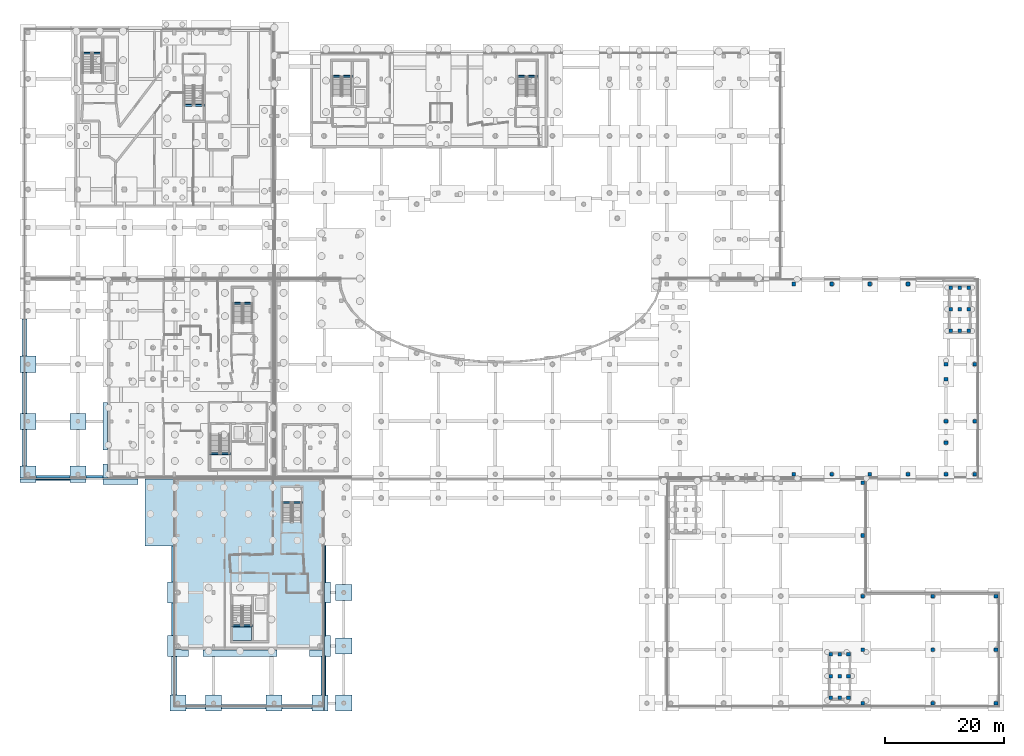
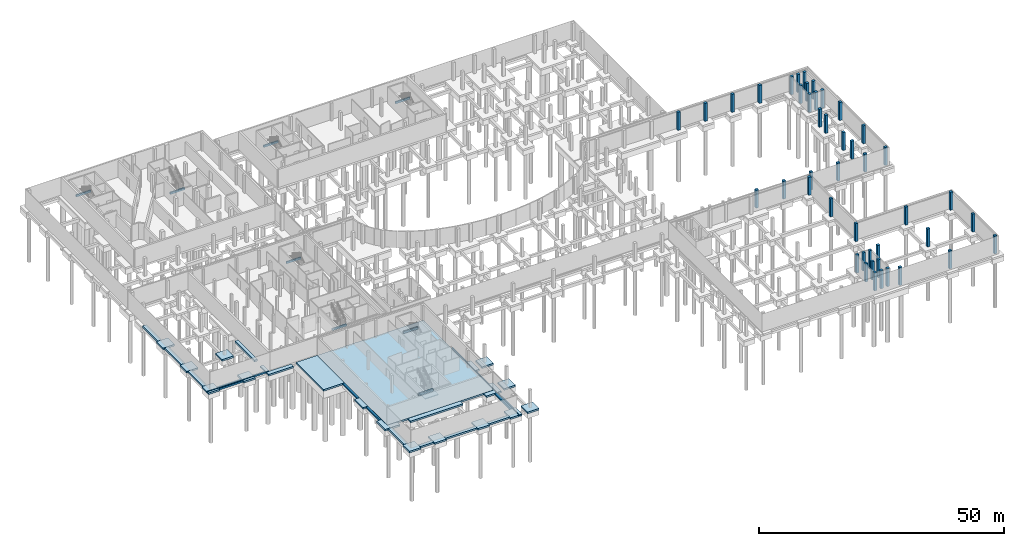
# One storey, part 15 of 40: 45 columns, 43 slabs, 8 beams, 1 element without a shape of its own.
"""IFC4 building model written with IfcOpenShell, lengths in metres."""

from ifc_helpers import new_model, si_unit, direction, frame, origin, origin_2d, place, context, subcontext, project, spatial, polyline, rectangle, outline, extrude, material, layer, layer_set, material_profile, profile_set, type_object, element, aggregate, save


model = new_model("IFC4")

# Units and contexts
model_context = context("Model", 3, precision=1e-05, world=origin(), true_north=direction((0.0, 1.0)))
body_context = subcontext(model_context, "Body", "Model", "MODEL_VIEW")
ifc_project = project(units=[si_unit("LENGTHUNIT", "METRE"), si_unit("AREAUNIT", "SQUARE_METRE"), si_unit("VOLUMEUNIT", "CUBIC_METRE"), si_unit("PLANEANGLEUNIT", "RADIAN"), si_unit("MASSUNIT", "GRAM", prefix="KILO")], contexts=[model_context])

# Site, building, storey
site_placement = place(None, origin())
site = spatial("IfcSite", under=ifc_project, at=site_placement, CompositionType="ELEMENT")
building_placement = place(site_placement, origin())
building = spatial("IfcBuilding", under=site, at=building_placement, Name="Mzevani Central Library", CompositionType="ELEMENT")
storey_placement = place(building_placement, frame((0.0, 0.0, -4.5)))
storey = spatial("IfcBuildingStorey", under=building, at=storey_placement, Name="B1", CompositionType="ELEMENT", Elevation=-4.5)

# Columns
ifc_material_1 = material(Name="Concrete C40/50", Category="concrete")
ifc_material_profile_1 = material_profile(ifc_material_1, rectangle(XDim=0.60009765625, YDim=0.60009765625, at=origin_2d()), Name="RC 600x600")
ifc_profile_set_1 = profile_set([ifc_material_profile_1], Name="Concrete C40/50")
column_type = type_object("IfcColumnType", Name="Column RC 600x600", PredefinedType="COLUMN", material=ifc_profile_set_1)
for number, where, z_axis, x_axis, name in (
    (1, (159.0, 43.10009765625, 0.0), (0.0, 0.0, 1.0), (1.0, 0.0, 0.0), "B1 V1 Foundation Pedestal (32)"),
    (2, (159.0, 52.0, 0.0), (0.0, 0.0, 1.0), (1.0, 0.0, 0.0), "B1 V1 Foundation Pedestal (33)"),
    (3, (159.0, 61.60009765625, 0.0), (0.0, 0.0, 1.0), (1.0, 0.0, 0.0), "B1 V1 Foundation Pedestal (34)"),
    (4, (163.800048828125, 43.10009765625, 0.0), (0.0, 0.0, 1.0), (1.0, 0.0, 0.0), "B1 V1 Foundation Pedestal (35)"),
    (5, (163.800048828125, 52.0, 0.0), (0.0, 0.0, 1.0), (1.0, 0.0, 0.0), "B1 V1 Foundation Pedestal (36)"),
    (6, (163.800048828125, 61.60009765625, 0.0), (0.0, 0.0, 1.0), (1.0, 0.0, 0.0), "B1 V1 Foundation Pedestal (37)"),
    (7, (133.39990234375, 43.10009765625, 0.0), (0.0, 0.0, 1.0), (1.0, 0.0, 0.0), "B1 V1 Foundation Pedestal (42)"),
    (8, (133.39990234375, 75.10009765625, 0.0), (0.0, 0.0, 1.0), (1.0, 0.0, 0.0), "B1 V1 Foundation Pedestal (43)"),
    (9, (139.800048828125, 43.10009765625, 0.0), (0.0, 0.0, 1.0), (1.0, 0.0, 0.0), "B1 V1 Foundation Pedestal (44)"),
    (10, (139.800048828125, 75.10009765625, 0.0), (0.0, 0.0, 1.0), (1.0, 0.0, 0.0), "B1 V1 Foundation Pedestal (45)"),
    (11, (146.199951171875, 43.10009765625, 0.0), (0.0, 0.0, 1.0), (1.0, 0.0, 0.0), "B1 V1 Foundation Pedestal (46)"),
    (12, (146.199951171875, 75.10009765625, 0.0), (0.0, 0.0, 1.0), (1.0, 0.0, 0.0), "B1 V1 Foundation Pedestal (47)"),
    (13, (152.60009765625, 43.10009765625, 0.0), (0.0, 0.0, 1.0), (1.0, 0.0, 0.0), "B1 V1 Foundation Pedestal (48)"),
    (14, (152.60009765625, 75.10009765625, 0.0), (0.0, 0.0, 1.0), (1.0, 0.0, 0.0), "B1 V1 Foundation Pedestal (49)"),
    (15, (159.0, 48.43310546875, 0.0), (0.0, 0.0, 1.0), (1.0, 0.0, 0.0), "B1 V1 Foundation Pedestal (51)"),
    (16, (159.0, 59.10009765625, 0.0), (0.0, 0.0, 1.0), (1.0, 0.0, 0.0), "B1 V1 Foundation Pedestal (53)"),
    (17, (145.0, 4.60009765625, 0.0), (0.0, 0.0, 1.0), (1.0, 0.0, 0.0), "B1 V6 Foundation Pedestal (164)"),
    (18, (145.0, 13.60009765625, 0.0), (0.0, 0.0, 1.0), (1.0, 0.0, 0.0), "B1 V6 Foundation Pedestal (165)"),
    (19, (145.0, 22.60009765625, 0.0), (0.0, 0.0, 1.0), (1.0, 0.0, 0.0), "B1 V6 Foundation Pedestal (166)"),
    (20, (145.0, 32.800048828125, 0.0), (0.0, 0.0, 1.0), (1.0, 0.0, 0.0), "B1 V6 Foundation Pedestal (167)"),
    (21, (145.0, 41.699951171875, 0.0), (0.0, 0.0, 1.0), (1.0, 0.0, 0.0), "B1 V6 Foundation Pedestal (168)"),
    (22, (156.800048828125, 4.60009765625, 0.0), (0.0, 0.0, 1.0), (1.0, 0.0, 0.0), "B1 V6 Foundation Pedestal (169)"),
    (23, (156.800048828125, 13.60009765625, 0.0), (0.0, 0.0, 1.0), (1.0, 0.0, 0.0), "B1 V6 Foundation Pedestal (170)"),
    (24, (156.800048828125, 22.60009765625, 0.0), (0.0, 0.0, 1.0), (1.0, 0.0, 0.0), "B1 V6 Foundation Pedestal (171)"),
    (25, (167.39990234375, 4.60009765625, 0.0), (0.0, 0.0, 1.0), (1.0, 0.0, 0.0), "B1 V6 Foundation Pedestal (172)"),
    (26, (167.39990234375, 13.60009765625, 0.0), (0.0, 0.0, 1.0), (1.0, 0.0, 0.0), "B1 V6 Foundation Pedestal (173)"),
    (27, (167.39990234375, 22.60009765625, 0.0), (0.0, 0.0, 1.0), (1.0, 0.0, 0.0), "B1 V6 Foundation Pedestal (174)"),
    (28, (159.800048828125, 67.199951171875, 0.0), (0.0, 0.0, 1.0), (1.0, 0.0, 0.0), "B1 V1 Foundation Pedestal (199)"),
    (29, (159.800048828125, 70.85009765625, 0.0), (0.0, 0.0, 1.0), (1.0, 0.0, 0.0), "B1 V1 Foundation Pedestal (200)"),
    (30, (159.800048828125, 74.5, 0.0), (0.0, 0.0, 1.0), (1.0, 0.0, 0.0), "B1 V1 Foundation Pedestal (201)"),
    (31, (161.300048828125, 67.199951171875, 0.0), (0.0, 0.0, 1.0), (1.0, 0.0, 0.0), "B1 V1 Foundation Pedestal (202)"),
    (32, (161.300048828125, 70.85009765625, 0.0), (0.0, 0.0, 1.0), (1.0, 0.0, 0.0), "B1 V1 Foundation Pedestal (203)"),
    (33, (161.300048828125, 74.5, 0.0), (0.0, 0.0, 1.0), (1.0, 0.0, 0.0), "B1 V1 Foundation Pedestal (204)"),
    (34, (162.800048828125, 67.199951171875, 0.0), (0.0, 0.0, 1.0), (1.0, 0.0, 0.0), "B1 V1 Foundation Pedestal (205)"),
    (35, (162.800048828125, 70.85009765625, 0.0), (0.0, 0.0, 1.0), (1.0, 0.0, 0.0), "B1 V1 Foundation Pedestal (206)"),
    (36, (162.800048828125, 74.5, 0.0), (0.0, 0.0, 1.0), (1.0, 0.0, 0.0), "B1 V1 Foundation Pedestal (207)"),
    (37, (139.60009765625, 5.5, 0.0), (0.0, 0.0, 1.0), (1.0, 0.0, 0.0), "B1 V6 Foundation Pedestal (217)"),
    (38, (139.60009765625, 9.14990234375, 0.0), (0.0, 0.0, 1.0), (1.0, 0.0, 0.0), "B1 V6 Foundation Pedestal (218)"),
    (39, (139.60009765625, 12.800048828125, 0.0), (0.0, 0.0, 1.0), (1.0, 0.0, 0.0), "B1 V6 Foundation Pedestal (219)"),
    (40, (141.10009765625, 5.5, 0.0), (0.0, 0.0, 1.0), (1.0, 0.0, 0.0), "B1 V6 Foundation Pedestal (220)"),
    (41, (141.10009765625, 9.14990234375, 0.0), (0.0, 0.0, 1.0), (1.0, 0.0, 0.0), "B1 V6 Foundation Pedestal (221)"),
    (42, (141.10009765625, 12.800048828125, 0.0), (0.0, 0.0, 1.0), (1.0, 0.0, 0.0), "B1 V6 Foundation Pedestal (222)"),
    (43, (142.60009765625, 5.5, 0.0), (0.0, 0.0, 1.0), (1.0, 0.0, 0.0), "B1 V6 Foundation Pedestal (223)"),
    (44, (142.60009765625, 9.14990234375, 0.0), (0.0, 0.0, 1.0), (1.0, 0.0, 0.0), "B1 V6 Foundation Pedestal (224)"),
    (45, (142.60009765625, 12.800048828125, 0.0), (0.0, 0.0, 1.0), (1.0, 0.0, 0.0), "B1 V6 Foundation Pedestal (225)"),
):
    element("IfcColumn", number, at=place(storey_placement, frame(where, z_axis=z_axis, x_axis=x_axis)), inside=storey, type_object=column_type, Name=name, PredefinedType="COLUMN", context=body_context, shape_type="SweptSolid", body=[
        extrude(rectangle(XDim=0.60009765625, YDim=0.60009765625, at=origin_2d()), origin(), (0.0, 0.0, 1.0), 4.5),
    ])

# Beams
ifc_material_2 = material(Name="Concrete C35/45", Category="concrete")
ifc_material_profile_2 = material_profile(ifc_material_2, rectangle(XDim=0.300048828125, YDim=0.5, at=origin_2d()), Name="RC B300x500")
ifc_profile_set_2 = profile_set([ifc_material_profile_2], Name="Concrete C35/45")
beam_type = type_object("IfcBeamType", Name="Beam RC 300x500", PredefinedType="BEAM", material=ifc_profile_set_2)
beam_1_placement = place(storey_placement, frame((13.679931640625, 113.9599609375, 1.800048828125), z_axis=(1.0, 0.0, 0.0), x_axis=(0.0, 1.0, 0.0)))
element("IfcBeam", 46, at=beam_1_placement, inside=storey, type_object=beam_type, Name="B1 Core C2A North-West Firefighting Core Stair Landing Beam 1", PredefinedType="BEAM", context=body_context, shape_type="SweptSolid", body=[
    extrude(rectangle(XDim=0.300048828125, YDim=0.5, at=origin_2d()), origin(), (0.0, 0.0, 1.0), 3.440185546875),
])
beam_2_placement = place(storey_placement, frame((30.780029296875, 105.139892578125, 1.800048828125), z_axis=(1.0, 0.0, 0.0), x_axis=(0.0, 1.0, 0.0)))
element("IfcBeam", 47, at=beam_2_placement, inside=storey, type_object=beam_type, Name="B1 Core C2B Stacks East Escape Stair Stair Landing Beam 1", PredefinedType="BEAM", context=body_context, shape_type="SweptSolid", body=[
    extrude(rectangle(XDim=0.300048828125, YDim=0.5, at=origin_2d()), origin(), (0.0, 0.0, 1.0), 3.43994140625),
])
beam_3_placement = place(storey_placement, frame((55.679931640625, 110.06005859375, 1.800048828125), z_axis=(1.0, 0.0, 0.0), x_axis=(0.0, 1.0, 0.0)))
element("IfcBeam", 48, at=beam_3_placement, inside=storey, type_object=beam_type, Name="B1 Core C3A North-East Firefighting Core Stair Landing Beam 1", PredefinedType="BEAM", context=body_context, shape_type="SweptSolid", body=[
    extrude(rectangle(XDim=0.300048828125, YDim=0.5, at=origin_2d()), origin(), (0.0, 0.0, 1.0), 3.440185546875),
])
beam_4_placement = place(storey_placement, frame((86.780029296875, 110.06005859375, 1.800048828125), z_axis=(1.0, 0.0, 0.0), x_axis=(0.0, 1.0, 0.0)))
element("IfcBeam", 49, at=beam_4_placement, inside=storey, type_object=beam_type, Name="B1 Core C3B Atrium East Escape Stair Stair Landing Beam 1", PredefinedType="BEAM", context=body_context, shape_type="SweptSolid", body=[
    extrude(rectangle(XDim=0.300048828125, YDim=0.5, at=origin_2d()), origin(), (0.0, 0.0, 1.0), 3.43994140625),
])
beam_5_placement = place(storey_placement, frame((38.8798828125, 17.639892578125, 1.800048828125), z_axis=(1.0, 0.0, 0.0), x_axis=(0.0, 1.0, 0.0)))
element("IfcBeam", 50, at=beam_5_placement, inside=storey, type_object=beam_type, Name="B1 Core C4A Cultural Wing Core Stair Landing Beam 1", PredefinedType="BEAM", context=body_context, shape_type="SweptSolid", body=[
    extrude(rectangle(XDim=0.300048828125, YDim=0.5, at=origin_2d()), origin(), (0.0, 0.0, 1.0), 3.440185546875),
])
beam_6_placement = place(storey_placement, frame((47.280029296875, 38.360107421875, 1.800048828125), z_axis=(1.0, 0.0, 0.0), x_axis=(0.0, 1.0, 0.0)))
element("IfcBeam", 51, at=beam_6_placement, inside=storey, type_object=beam_type, Name="B1 Core C4B Square South Escape Stair Stair Landing Beam 1", PredefinedType="BEAM", context=body_context, shape_type="SweptSolid", body=[
    extrude(rectangle(XDim=0.300048828125, YDim=0.5, at=origin_2d()), origin(), (0.0, 0.0, 1.0), 3.43994140625),
])
beam_7_placement = place(storey_placement, frame((35.179931640625, 46.5400390625, 1.800048828125), z_axis=(1.0, 0.0, 0.0), x_axis=(0.0, 1.0, 0.0)))
element("IfcBeam", 52, at=beam_7_placement, inside=storey, type_object=beam_type, Name="B1 Core C5A Auditorium & Goods Core Stair Landing Beam 1", PredefinedType="BEAM", context=body_context, shape_type="SweptSolid", body=[
    extrude(rectangle(XDim=0.300048828125, YDim=0.5, at=origin_2d()), origin(), (0.0, 0.0, 1.0), 3.440185546875),
])
beam_8_placement = place(storey_placement, frame((38.97998046875, 71.860107421875, 1.800048828125), z_axis=(1.0, 0.0, 0.0), x_axis=(0.0, 1.0, 0.0)))
element("IfcBeam", 53, at=beam_8_placement, inside=storey, type_object=beam_type, Name="B1 Core C5B Lecture North Escape Stair Stair Landing Beam 1", PredefinedType="BEAM", context=body_context, shape_type="SweptSolid", body=[
    extrude(rectangle(XDim=0.300048828125, YDim=0.5, at=origin_2d()), origin(), (0.0, 0.0, 1.0), 3.43994140625),
])

# Slabs
ifc_layer_1 = layer(ifc_material_1, 0.419921875, Name="Basement Mat Base Slab 420")
ifc_layer_set_1 = layer_set([ifc_layer_1], Name="Concrete C40/50")
slab_type_1 = type_object("IfcSlabType", Name="Basement Mat Base Slab 420", PredefinedType="BASESLAB", material=ifc_layer_set_1)
slab_1_placement = place(storey_placement, frame((0.0, 0.0, -0.419921875)))
element("IfcSlab", 54, at=slab_1_placement, inside=storey, type_object=slab_type_1, Name="B1 Foundation Plinth Collar (127)", PredefinedType="BASESLAB", context=body_context, shape_type="SweptSolid", body=[
    extrude(outline(polyline([(28.449951171875, 5.949951171875), (31.14990234375, 5.949951171875), (31.14990234375, 3.25), (28.449951171875, 3.25), (28.449951171875, 5.949951171875)])), origin(), (0.0, 0.0, 1.0), 0.419921875),
])
slab_2_placement = place(storey_placement, frame((0.0, 0.0, -0.419921875)))
element("IfcSlab", 55, at=slab_2_placement, inside=storey, type_object=slab_type_1, Name="B1 Foundation Plinth Collar (128)", PredefinedType="BASESLAB", context=body_context, shape_type="SweptSolid", body=[
    extrude(outline(polyline([(28.050048828125, 12.449951171875), (28.050048828125, 15.949951171875), (29.179931640625, 15.949951171875), (29.18896484375, 13.58349609375), (31.550048828125, 13.580078125), (31.550048828125, 12.449951171875), (28.050048828125, 12.449951171875)])), origin(), (0.0, 0.0, 1.0), 0.419921875),
])
slab_3_placement = place(storey_placement, frame((0.0, 0.0, -0.419921875)))
element("IfcSlab", 56, at=slab_3_placement, inside=storey, type_object=slab_type_1, Name="B1 Foundation Plinth Collar (129)", PredefinedType="BASESLAB", context=body_context, shape_type="SweptSolid", body=[
    extrude(outline(polyline([(28.050048828125, 24.949951171875), (29.179931640625, 24.949951171875), (29.179931640625, 21.449951171875), (28.050048828125, 21.449951171875), (28.050048828125, 24.949951171875)])), origin(), (0.0, 0.0, 1.0), 0.419921875),
])
slab_4_placement = place(storey_placement, frame((0.0, 0.0, -0.419921875)))
element("IfcSlab", 57, at=slab_4_placement, inside=storey, type_object=slab_type_1, Name="B1 Foundation Plinth Collar (132)", PredefinedType="BASESLAB", context=body_context, shape_type="SweptSolid", body=[
    extrude(outline(polyline([(29.179931640625, 31.050048828125), (24.25, 31.050048828125), (24.25, 42.300048828125), (29.179931640625, 42.300048828125), (29.179931640625, 31.050048828125)])), origin(), (0.0, 0.0, 1.0), 0.419921875),
])
slab_5_placement = place(storey_placement, frame((0.0, 0.0, -0.419921875)))
element("IfcSlab", 58, at=slab_5_placement, inside=storey, type_object=slab_type_1, Name="B1 Foundation Plinth Collar (133)", PredefinedType="BASESLAB", context=body_context, shape_type="SweptSolid", body=[
    extrude(outline(polyline([(34.449951171875, 5.949951171875), (37.14990234375, 5.949951171875), (37.14990234375, 3.25), (34.449951171875, 3.25), (34.449951171875, 5.949951171875)])), origin(), (0.0, 0.0, 1.0), 0.419921875),
])
slab_6_placement = place(storey_placement, frame((0.0, 0.0, -0.419921875)))
element("IfcSlab", 59, at=slab_6_placement, inside=storey, type_object=slab_type_1, Name="B1 Foundation Plinth Collar (134)", PredefinedType="BASESLAB", context=body_context, shape_type="SweptSolid", body=[
    extrude(outline(polyline([(34.050048828125, 12.449951171875), (34.050048828125, 13.580078125), (46.449951171875, 13.580078125), (46.449951171875, 12.449951171875), (34.050048828125, 12.449951171875)])), origin(), (0.0, 0.0, 1.0), 0.419921875),
])
slab_7_placement = place(storey_placement, frame((0.0, 0.0, -0.419921875)))
element("IfcSlab", 60, at=slab_7_placement, inside=storey, type_object=slab_type_1, Name="B1 Foundation Plinth Collar (135)", PredefinedType="BASESLAB", context=body_context, shape_type="SweptSolid", body=[
    extrude(outline(polyline([(44.64990234375, 5.949951171875), (47.35009765625, 5.949951171875), (47.35009765625, 3.25), (44.64990234375, 3.25), (44.64990234375, 5.949951171875)])), origin(), (0.0, 0.0, 1.0), 0.419921875),
])
slab_8_placement = place(storey_placement, frame((0.0, 0.0, -0.419921875)))
element("IfcSlab", 61, at=slab_8_placement, inside=storey, type_object=slab_type_1, Name="B1 Foundation Plinth Collar (136)", PredefinedType="BASESLAB", context=body_context, shape_type="SweptSolid", body=[
    extrude(outline(polyline([(52.35009765625, 5.949951171875), (54.300048828125, 5.949951171875), (54.300048828125, 3.25), (52.35009765625, 3.25), (52.35009765625, 5.949951171875)])), origin(), (0.0, 0.0, 1.0), 0.419921875),
])
slab_9_placement = place(storey_placement, frame((0.0, 0.0, -0.419921875)))
element("IfcSlab", 62, at=slab_9_placement, inside=storey, type_object=slab_type_1, Name="B1 Foundation Plinth Collar (137)", PredefinedType="BASESLAB", context=body_context, shape_type="SweptSolid", body=[
    extrude(outline(polyline([(55.050048828125, 5.949951171875), (55.050048828125, 3.25), (54.5, 3.25), (54.5, 5.949951171875), (55.050048828125, 5.949951171875)])), origin(), (0.0, 0.0, 1.0), 0.419921875),
])
slab_10_placement = place(storey_placement, frame((0.0, 0.0, -0.419921875)))
element("IfcSlab", 63, at=slab_10_placement, inside=storey, type_object=slab_type_1, Name="B1 Foundation Plinth Collar (138)", PredefinedType="BASESLAB", context=body_context, shape_type="SweptSolid", body=[
    extrude(outline(polyline([(55.449951171875, 12.449951171875), (54.5, 12.449951171875), (54.5, 15.949951171875), (55.449951171875, 15.949951171875), (55.449951171875, 12.449951171875)])), origin(), (0.0, 0.0, 1.0), 0.419921875),
])
slab_11_placement = place(storey_placement, frame((0.0, 0.0, -0.419921875)))
element("IfcSlab", 64, at=slab_11_placement, inside=storey, type_object=slab_type_1, Name="B1 Foundation Plinth Collar (139)", PredefinedType="BASESLAB", context=body_context, shape_type="SweptSolid", body=[
    extrude(outline(polyline([(51.949951171875, 12.449951171875), (51.949951171875, 13.580078125), (54.300048828125, 13.580078125), (54.300048828125, 12.449951171875), (51.949951171875, 12.449951171875)])), origin(), (0.0, 0.0, 1.0), 0.419921875),
])
slab_12_placement = place(storey_placement, frame((0.0, 0.0, -0.419921875)))
element("IfcSlab", 65, at=slab_12_placement, inside=storey, type_object=slab_type_1, Name="B1 Foundation Plinth Collar (140)", PredefinedType="BASESLAB", context=body_context, shape_type="SweptSolid", body=[
    extrude(outline(polyline([(55.449951171875, 21.449951171875), (54.5, 21.449951171875), (54.5, 24.949951171875), (55.449951171875, 24.949951171875), (55.449951171875, 21.449951171875)])), origin(), (0.0, 0.0, 1.0), 0.419921875),
])
slab_13_placement = place(storey_placement, frame((0.0, 0.0, -0.419921875)))
element("IfcSlab", 66, at=slab_13_placement, inside=storey, type_object=slab_type_1, Name="B1 Foundation Plinth Collar (141)", PredefinedType="BASESLAB", context=body_context, shape_type="SweptSolid", body=[
    extrude(outline(polyline([(3.25, 42.300048828125), (5.949951171875, 42.300048828125), (5.949951171875, 41.75), (3.25, 41.75), (3.25, 42.300048828125)])), origin(), (0.0, 0.0, 1.0), 0.419921875),
])
slab_14_placement = place(storey_placement, frame((0.0, 0.0, -0.419921875)))
element("IfcSlab", 67, at=slab_14_placement, inside=storey, type_object=slab_type_1, Name="B1 Foundation Plinth Collar (142)", PredefinedType="BASESLAB", context=body_context, shape_type="SweptSolid", body=[
    extrude(outline(polyline([(3.25, 44.449951171875), (5.949951171875, 44.449951171875), (5.949951171875, 42.5), (3.25, 42.5), (3.25, 44.449951171875)])), origin(), (0.0, 0.0, 1.0), 0.419921875),
])
slab_15_placement = place(storey_placement, frame((0.0, 0.0, -0.419921875)))
element("IfcSlab", 68, at=slab_15_placement, inside=storey, type_object=slab_type_1, Name="B1 Foundation Plinth Collar (143)", PredefinedType="BASESLAB", context=body_context, shape_type="SweptSolid", body=[
    extrude(outline(polyline([(3.25, 53.35009765625), (5.949951171875, 53.35009765625), (5.949951171875, 50.64990234375), (3.25, 50.64990234375), (3.25, 53.35009765625)])), origin(), (0.0, 0.0, 1.0), 0.419921875),
])
slab_16_placement = place(storey_placement, frame((0.0, 0.0, -0.419921875)))
element("IfcSlab", 69, at=slab_16_placement, inside=storey, type_object=slab_type_1, Name="B1 Foundation Plinth Collar (144)", PredefinedType="BASESLAB", context=body_context, shape_type="SweptSolid", body=[
    extrude(outline(polyline([(3.25, 62.949951171875), (5.949951171875, 62.949951171875), (5.949951171875, 60.25), (3.25, 60.25), (3.25, 62.949951171875)])), origin(), (0.0, 0.0, 1.0), 0.419921875),
])
slab_17_placement = place(storey_placement, frame((0.0, 0.0, -0.419921875)))
element("IfcSlab", 70, at=slab_17_placement, inside=storey, type_object=slab_type_1, Name="B1 Foundation Plinth Collar (146)", PredefinedType="BASESLAB", context=body_context, shape_type="SweptSolid", body=[
    extrude(outline(polyline([(11.64990234375, 42.300048828125), (14.35009765625, 42.300048828125), (14.35009765625, 41.75), (11.64990234375, 41.75), (11.64990234375, 42.300048828125)])), origin(), (0.0, 0.0, 1.0), 0.419921875),
])
slab_18_placement = place(storey_placement, frame((0.0, 0.0, -0.419921875)))
element("IfcSlab", 71, at=slab_18_placement, inside=storey, type_object=slab_type_1, Name="B1 Foundation Plinth Collar (147)", PredefinedType="BASESLAB", context=body_context, shape_type="SweptSolid", body=[
    extrude(outline(polyline([(11.64990234375, 44.449951171875), (14.35009765625, 44.449951171875), (14.35009765625, 42.5), (11.64990234375, 42.5), (11.64990234375, 44.449951171875)])), origin(), (0.0, 0.0, 1.0), 0.419921875),
])
slab_19_placement = place(storey_placement, frame((0.0, 0.0, -0.419921875)))
element("IfcSlab", 72, at=slab_19_placement, inside=storey, type_object=slab_type_1, Name="B1 Foundation Plinth Collar (148)", PredefinedType="BASESLAB", context=body_context, shape_type="SweptSolid", body=[
    extrude(outline(polyline([(11.64990234375, 53.35009765625), (14.35009765625, 53.35009765625), (14.35009765625, 50.64990234375), (11.64990234375, 50.64990234375), (11.64990234375, 53.35009765625)])), origin(), (0.0, 0.0, 1.0), 0.419921875),
])
slab_20_placement = place(storey_placement, frame((0.0, 0.0, -0.419921875)))
element("IfcSlab", 73, at=slab_20_placement, inside=storey, type_object=slab_type_1, Name="B1 Foundation Plinth Collar (151)", PredefinedType="BASESLAB", context=body_context, shape_type="SweptSolid", body=[
    extrude(outline(polyline([(17.25, 41.35009765625), (17.25, 42.300048828125), (23.10009765625, 42.300048828125), (23.10009765625, 41.35009765625), (17.25, 41.35009765625)])), origin(), (0.0, 0.0, 1.0), 0.419921875),
])
slab_21_placement = place(storey_placement, frame((0.0, 0.0, -0.419921875)))
element("IfcSlab", 74, at=slab_21_placement, inside=storey, type_object=slab_type_1, Name="B1 Foundation Plinth Collar (152)", PredefinedType="BASESLAB", context=body_context, shape_type="SweptSolid", body=[
    extrude(outline(polyline([(17.25, 44.85009765625), (17.97998046875, 44.85009765625), (17.97998046875, 42.5), (17.25, 42.5), (17.25, 44.85009765625)])), origin(), (0.0, 0.0, 1.0), 0.419921875),
])
slab_22_placement = place(storey_placement, frame((0.0, 0.0, -0.419921875)))
element("IfcSlab", 75, at=slab_22_placement, inside=storey, type_object=slab_type_1, Name="B1 Foundation Plinth Collar (153)", PredefinedType="BASESLAB", context=body_context, shape_type="SweptSolid", body=[
    extrude(outline(polyline([(17.25, 55.14990234375), (17.97998046875, 55.14990234375), (17.97998046875, 47.14990234375), (17.25, 47.14990234375), (17.25, 55.14990234375)])), origin(), (0.0, 0.0, 1.0), 0.419921875),
])
slab_23_placement = place(storey_placement, frame((0.0, 0.0, -0.419921875)))
element("IfcSlab", 76, at=slab_23_placement, inside=storey, type_object=slab_type_1, Name="B1 Foundation Plinth Collar (180)", PredefinedType="BASESLAB", context=body_context, shape_type="SweptSolid", body=[
    extrude(outline(polyline([(56.35009765625, 5.949951171875), (59.050048828125, 5.949951171875), (59.050048828125, 3.25), (56.35009765625, 3.25), (56.35009765625, 5.949951171875)])), origin(), (0.0, 0.0, 1.0), 0.419921875),
])
slab_24_placement = place(storey_placement, frame((0.0, 0.0, -0.419921875)))
element("IfcSlab", 77, at=slab_24_placement, inside=storey, type_object=slab_type_1, Name="B1 Foundation Plinth Collar (181)", PredefinedType="BASESLAB", context=body_context, shape_type="SweptSolid", body=[
    extrude(outline(polyline([(56.35009765625, 15.550048828125), (59.050048828125, 15.550048828125), (59.050048828125, 12.85009765625), (56.35009765625, 12.85009765625), (56.35009765625, 15.550048828125)])), origin(), (0.0, 0.0, 1.0), 0.419921875),
])
slab_25_placement = place(storey_placement, frame((0.0, 0.0, -0.419921875)))
element("IfcSlab", 78, at=slab_25_placement, inside=storey, type_object=slab_type_1, Name="B1 Foundation Plinth Collar (182)", PredefinedType="BASESLAB", context=body_context, shape_type="SweptSolid", body=[
    extrude(outline(polyline([(56.35009765625, 24.550048828125), (59.050048828125, 24.550048828125), (59.050048828125, 21.85009765625), (56.35009765625, 21.85009765625), (56.35009765625, 24.550048828125)])), origin(), (0.0, 0.0, 1.0), 0.419921875),
])
slab_26_placement = place(storey_placement, frame((0.0, 0.0, -0.419921875)))
element("IfcSlab", 79, at=slab_26_placement, inside=storey, type_object=slab_type_1, Name="B1 Strip Footing Plinth Collar (255)", PredefinedType="BASESLAB", context=body_context, shape_type="SweptSolid", body=[
    extrude(outline(polyline([(54.699951171875, 24.949951171875), (54.5, 24.949951171875), (54.5, 31.050048828125), (54.699951171875, 31.050048828125), (54.699951171875, 24.949951171875)])), origin(), (0.0, 0.0, 1.0), 0.419921875),
])
slab_27_placement = place(storey_placement, frame((0.0, 0.0, -0.419921875)))
element("IfcSlab", 80, at=slab_27_placement, inside=storey, type_object=slab_type_1, Name="B1 Strip Footing Plinth Collar (256)", PredefinedType="BASESLAB", context=body_context, shape_type="SweptSolid", body=[
    extrude(outline(polyline([(54.699951171875, 15.949951171875), (54.5, 15.949951171875), (54.5, 21.449951171875), (54.699951171875, 21.449951171875), (54.699951171875, 15.949951171875)])), origin(), (0.0, 0.0, 1.0), 0.419921875),
])
slab_28_placement = place(storey_placement, frame((0.0, 0.0, -0.419921875)))
element("IfcSlab", 81, at=slab_28_placement, inside=storey, type_object=slab_type_1, Name="B1 Strip Footing Plinth Collar (257)", PredefinedType="BASESLAB", context=body_context, shape_type="SweptSolid", body=[
    extrude(outline(polyline([(54.300048828125, 12.449951171875), (54.300048828125, 5.949951171875), (53.89990234375, 5.949951171875), (53.89990234375, 12.449951171875), (54.300048828125, 12.449951171875)])), origin(), (0.0, 0.0, 1.0), 0.419921875),
])
slab_29_placement = place(storey_placement, frame((0.0, 0.0, -0.419921875)))
element("IfcSlab", 82, at=slab_29_placement, inside=storey, type_object=slab_type_1, Name="B1 Strip Footing Plinth Collar (258)", PredefinedType="BASESLAB", context=body_context, shape_type="SweptSolid", body=[
    extrude(outline(polyline([(54.699951171875, 12.449951171875), (54.699951171875, 5.949951171875), (54.5, 5.949951171875), (54.5, 12.449951171875), (54.699951171875, 12.449951171875)])), origin(), (0.0, 0.0, 1.0), 0.419921875),
])
slab_30_placement = place(storey_placement, frame((0.0, 0.0, -0.419921875)))
element("IfcSlab", 83, at=slab_30_placement, inside=storey, type_object=slab_type_1, Name="B1 Strip Footing Plinth Collar (259)", PredefinedType="BASESLAB", context=body_context, shape_type="SweptSolid", body=[
    extrude(outline(polyline([(28.75, 5.949951171875), (28.75, 12.449951171875), (29.64990234375, 12.449951171875), (29.64990234375, 5.949951171875), (28.75, 5.949951171875)])), origin(), (0.0, 0.0, 1.0), 0.419921875),
])
slab_31_placement = place(storey_placement, frame((0.0, 0.0, -0.419921875)))
element("IfcSlab", 84, at=slab_31_placement, inside=storey, type_object=slab_type_1, Name="B1 Strip Footing Plinth Collar (260)", PredefinedType="BASESLAB", context=body_context, shape_type="SweptSolid", body=[
    extrude(outline(polyline([(28.75, 21.449951171875), (29.179931640625, 21.449951171875), (29.179931640625, 15.949951171875), (28.75, 15.949951171875), (28.75, 21.449951171875)])), origin(), (0.0, 0.0, 1.0), 0.419921875),
])
slab_32_placement = place(storey_placement, frame((0.0, 0.0, -0.419921875)))
element("IfcSlab", 85, at=slab_32_placement, inside=storey, type_object=slab_type_1, Name="B1 Strip Footing Plinth Collar (261)", PredefinedType="BASESLAB", context=body_context, shape_type="SweptSolid", body=[
    extrude(outline(polyline([(28.75, 31.050048828125), (29.179931640625, 31.050048828125), (29.179931640625, 24.949951171875), (28.75, 24.949951171875), (28.75, 31.050048828125)])), origin(), (0.0, 0.0, 1.0), 0.419921875),
])
slab_33_placement = place(storey_placement, frame((0.0, 0.0, -0.419921875)))
element("IfcSlab", 86, at=slab_33_placement, inside=storey, type_object=slab_type_1, Name="B1 Strip Footing Plinth Collar (262)", PredefinedType="BASESLAB", context=body_context, shape_type="SweptSolid", body=[
    extrude(outline(polyline([(52.35009765625, 3.60009765625), (47.35009765625, 3.60009765625), (47.35009765625, 4.39990234375), (52.35009765625, 4.39990234375), (52.35009765625, 3.60009765625)])), origin(), (0.0, 0.0, 1.0), 0.419921875),
])
slab_34_placement = place(storey_placement, frame((0.0, 0.0, -0.419921875)))
element("IfcSlab", 87, at=slab_34_placement, inside=storey, type_object=slab_type_1, Name="B1 Strip Footing Plinth Collar (263)", PredefinedType="BASESLAB", context=body_context, shape_type="SweptSolid", body=[
    extrude(outline(polyline([(44.64990234375, 3.60009765625), (37.14990234375, 3.60009765625), (37.14990234375, 4.39990234375), (44.64990234375, 4.39990234375), (44.64990234375, 3.60009765625)])), origin(), (0.0, 0.0, 1.0), 0.419921875),
])
slab_35_placement = place(storey_placement, frame((0.0, 0.0, -0.419921875)))
element("IfcSlab", 88, at=slab_35_placement, inside=storey, type_object=slab_type_1, Name="B1 Strip Footing Plinth Collar (264)", PredefinedType="BASESLAB", context=body_context, shape_type="SweptSolid", body=[
    extrude(outline(polyline([(34.449951171875, 3.60009765625), (31.14990234375, 3.60009765625), (31.14990234375, 4.39990234375), (34.449951171875, 4.39990234375), (34.449951171875, 3.60009765625)])), origin(), (0.0, 0.0, 1.0), 0.419921875),
])
slab_36_placement = place(storey_placement, frame((0.0, 0.0, -0.419921875)))
element("IfcSlab", 89, at=slab_36_placement, inside=storey, type_object=slab_type_1, Name="B1 Strip Footing Plinth Collar (265)", PredefinedType="BASESLAB", context=body_context, shape_type="SweptSolid", body=[
    extrude(outline(polyline([(3.550048828125, 44.449951171875), (3.550048828125, 50.64990234375), (4.449951171875, 50.64990234375), (4.449951171875, 44.449951171875), (3.550048828125, 44.449951171875)])), origin(), (0.0, 0.0, 1.0), 0.419921875),
])
slab_37_placement = place(storey_placement, frame((0.0, 0.0, -0.419921875)))
element("IfcSlab", 90, at=slab_37_placement, inside=storey, type_object=slab_type_1, Name="B1 Strip Footing Plinth Collar (266)", PredefinedType="BASESLAB", context=body_context, shape_type="SweptSolid", body=[
    extrude(outline(polyline([(3.550048828125, 53.35009765625), (3.550048828125, 60.25), (4.449951171875, 60.25), (4.449951171875, 53.35009765625), (3.550048828125, 53.35009765625)])), origin(), (0.0, 0.0, 1.0), 0.419921875),
])
slab_38_placement = place(storey_placement, frame((0.0, 0.0, -0.419921875)))
element("IfcSlab", 91, at=slab_38_placement, inside=storey, type_object=slab_type_1, Name="B1 Strip Footing Plinth Collar (267)", PredefinedType="BASESLAB", context=body_context, shape_type="SweptSolid", body=[
    extrude(outline(polyline([(3.550048828125, 62.949951171875), (3.550048828125, 69.25), (4.449951171875, 69.25), (4.449951171875, 62.949951171875), (3.550048828125, 62.949951171875)])), origin(), (0.0, 0.0, 1.0), 0.419921875),
])
slab_39_placement = place(storey_placement, frame((0.0, 0.0, -0.419921875)))
element("IfcSlab", 92, at=slab_39_placement, inside=storey, type_object=slab_type_1, Name="B1 Strip Footing Plinth Collar (268)", PredefinedType="BASESLAB", context=body_context, shape_type="SweptSolid", body=[
    extrude(outline(polyline([(17.25, 42.5), (14.35009765625, 42.5), (14.35009765625, 42.89990234375), (17.25, 42.89990234375), (17.25, 42.5)])), origin(), (0.0, 0.0, 1.0), 0.419921875),
])
slab_40_placement = place(storey_placement, frame((0.0, 0.0, -0.419921875)))
element("IfcSlab", 93, at=slab_40_placement, inside=storey, type_object=slab_type_1, Name="B1 Strip Footing Plinth Collar (269)", PredefinedType="BASESLAB", context=body_context, shape_type="SweptSolid", body=[
    extrude(outline(polyline([(11.64990234375, 42.5), (5.949951171875, 42.5), (5.949951171875, 42.89990234375), (11.64990234375, 42.89990234375), (11.64990234375, 42.5)])), origin(), (0.0, 0.0, 1.0), 0.419921875),
])
slab_41_placement = place(storey_placement, frame((0.0, 0.0, -0.419921875)))
element("IfcSlab", 94, at=slab_41_placement, inside=storey, type_object=slab_type_1, Name="B1 Strip Footing Plinth Collar (270)", PredefinedType="BASESLAB", context=body_context, shape_type="SweptSolid", body=[
    extrude(outline(polyline([(11.64990234375, 42.10009765625), (5.949951171875, 42.10009765625), (5.949951171875, 42.300048828125), (11.64990234375, 42.300048828125), (11.64990234375, 42.10009765625)])), origin(), (0.0, 0.0, 1.0), 0.419921875),
])
slab_42_placement = place(storey_placement, frame((0.0, 0.0, -0.419921875)))
element("IfcSlab", 95, at=slab_42_placement, inside=storey, type_object=slab_type_1, Name="B1 V4 Structural Slab GS-02", PredefinedType="BASESLAB", context=body_context, shape_type="SweptSolid", body=[
    extrude(outline(polyline([(54.300048828125, 13.60009765625), (29.199951171875, 13.60009765625), (29.199951171875, 42.300048828125), (54.300048828125, 42.300048828125), (54.300048828125, 13.60009765625)])), origin(), (0.0, 0.0, 1.0), 0.419921875),
])

# Stair, slab
stair_type = type_object("IfcStairType", Name="Dogleg Exit Stair 173x280", PredefinedType="HALF_TURN_STAIR", material=ifc_material_2)
stair_placement = place(storey_placement, origin())
stair = element("IfcStair", 96, at=stair_placement, inside=storey, type_object=stair_type, Name="B1 Core C4A Cultural Wing Core Exit Stair ST-03", PredefinedType="HALF_TURN_STAIR")
ifc_layer_2 = layer(ifc_material_2, 0.199951171875, Name="Stair Landing Slab 200")
ifc_layer_set_2 = layer_set([ifc_layer_2], Name="Concrete C35/45")
slab_type_2 = type_object("IfcSlabType", Name="Stair Landing Slab 200", PredefinedType="LANDING", material=ifc_layer_set_2)
slab_43_placement = place(storey_placement, frame((0.0, 0.0, 2.050048828125)))
slab_43 = element("IfcSlab", 97, at=slab_43_placement, type_object=slab_type_2, Name="ST-07 landing 1", PredefinedType="LANDING", context=body_context, shape_type="SweptSolid", body=[
    extrude(outline(polyline([(39.0, 17.639892578125), (39.0, 15.10009765625), (42.199951171875, 15.10009765625), (42.199951171875, 17.639892578125), (39.0, 17.639892578125)])), origin(), (0.0, 0.0, 1.0), 0.199951171875),
])
aggregate(stair, [slab_43])

save(model, "model.ifc")
